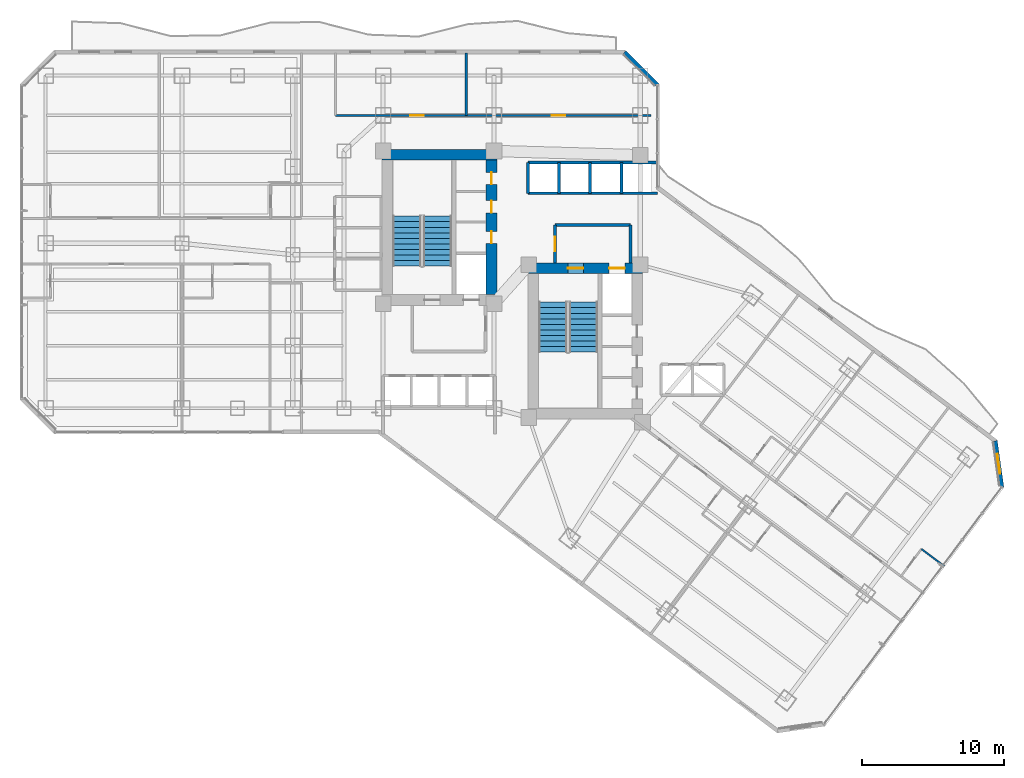
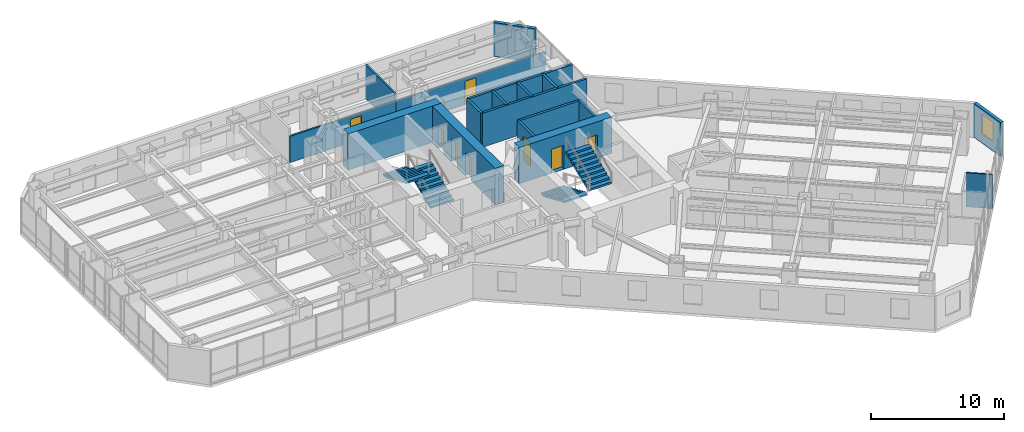
# One storey, part 27 of 37: 18 walls, 8 doors, 4 stair flights, 1 window, 9 openings, 2 elements without a shape of their own.
"""IFC4 building model written with IfcOpenShell, lengths in metres."""

import ifcopenshell
import ifcopenshell.guid

model = None  # the IFC model being written
_history = None  # IfcOwnerHistory: only IFC2X3 demands one
_inside = {}  # id of a spatial element -> (the spatial element, [elements in it])
_under = {}  # id of a project, library or spatial element -> (it, [spatial elements below it])
_declared = {}  # id of a project -> (the project, [libraries it declares])
_typed = {}  # id of a type object -> (the type object, [elements of that type])
_made_of = {}  # id of a material, layer set ... -> (it, [elements and type objects made of it])


def new_model(schema):
    """Start an empty IFC model of exactly this schema.

    Asked for "IFC4X3", IfcOpenShell would pick the latest addendum, in which some entities
    have other attributes; the version numbers below select the first issue.
    IFC2X3 requires an IfcOwnerHistory on every rooted entity: one is made here for all.
    """
    global model, _history
    if schema == "IFC4X3":
        model = ifcopenshell.file(schema_version=(4, 3, 0, 0))
    else:
        model = ifcopenshell.file(schema=schema)
    _inside.clear()
    _under.clear()
    _declared.clear()
    _typed.clear()
    _made_of.clear()
    _history = None
    if model.schema == "IFC2X3":
        org = make("IfcOrganization", Name="unknown")
        user = make(
            "IfcPersonAndOrganization",
            ThePerson=make("IfcPerson", FamilyName="unknown"),
            TheOrganization=org,
        )
        app = make(
            "IfcApplication",
            ApplicationDeveloper=org,
            Version="unknown",
            ApplicationFullName="unknown",
            ApplicationIdentifier="unknown",
        )
        _history = make(
            "IfcOwnerHistory",
            OwningUser=user,
            OwningApplication=app,
            ChangeAction="ADDED",
            CreationDate=0,
        )
    return model


def make(cls, **values):
    """One entity of the class cls with the attributes given. An attribute that is None is left unset."""
    return model.create_entity(
        cls, **{name: value for name, value in values.items() if value is not None}
    )


def rooted(cls, **values):
    """An entity with a GlobalId (a new one), such as an element, a storey or a relation."""
    return make(cls, GlobalId=ifcopenshell.guid.new(), OwnerHistory=_history, **values)


def si_unit(unit_type, name, prefix=None):
    """IfcSIUnit, for example si_unit("LENGTHUNIT", "METRE", prefix="MILLI")."""
    return make("IfcSIUnit", UnitType=unit_type, Prefix=prefix, Name=name)


def assignment(units):
    """IfcUnitAssignment: the units of a project."""
    return None if units is None else make("IfcUnitAssignment", Units=units)


def point(xyz):
    """IfcCartesianPoint."""
    return None if xyz is None else make("IfcCartesianPoint", Coordinates=xyz)


def direction(xyz):
    """IfcDirection."""
    return None if xyz is None else make("IfcDirection", DirectionRatios=xyz)


def frame(location, z_axis=None, x_axis=None):
    """IfcAxis2Placement3D, a coordinate frame: its origin and axes. An axis left out is left unset."""
    return make(
        "IfcAxis2Placement3D",
        Location=point(location),
        Axis=direction(z_axis),
        RefDirection=direction(x_axis),
    )


def frame_2d(location, x_axis=None):
    """IfcAxis2Placement2D, a coordinate frame in the plane: its origin and x axis."""
    return make(
        "IfcAxis2Placement2D", Location=point(location), RefDirection=direction(x_axis)
    )


def origin():
    """The frame at (0, 0, 0) with its axes left unset."""
    return frame((0.0, 0.0, 0.0))


def place(relative_to, where):
    """IfcLocalPlacement: puts the frame where relative to a parent placement (None: the world)."""
    return make(
        "IfcLocalPlacement", PlacementRelTo=relative_to, RelativePlacement=where
    )


def context(
    kind, dimensions, precision=None, world=None, true_north=None, identifier=None
):
    """IfcGeometricRepresentationContext, for example the 3D "Model" context."""
    return make(
        "IfcGeometricRepresentationContext",
        ContextIdentifier=identifier,
        ContextType=kind,
        CoordinateSpaceDimension=dimensions,
        Precision=precision,
        WorldCoordinateSystem=world,
        TrueNorth=true_north,
    )


def subcontext(parent, identifier, kind, view, scale=None):
    """IfcGeometricRepresentationSubContext, for example "Body" below "Model"."""
    return make(
        "IfcGeometricRepresentationSubContext",
        ContextIdentifier=identifier,
        ContextType=kind,
        ParentContext=parent,
        TargetScale=scale,
        TargetView=view,
    )


def project(units=None, contexts=None):
    """IfcProject with its units and contexts."""
    return rooted(
        "IfcProject",
        Name="project",
        RepresentationContexts=contexts,
        UnitsInContext=assignment(units),
    )


def spatial(cls, under=None, at=None, **own):
    """A site, building, storey or space (cls), placed at a placement, below another one or the project."""
    s = rooted(cls, ObjectPlacement=at, **own)
    if under is not None:
        _under.setdefault(under.id(), (under, []))[1].append(s)
    return s


def polyline(points):
    """IfcPolyline through the points."""
    return make("IfcPolyline", Points=[point(p) for p in points])


def profile(cls, at=None, kind="AREA", **sizes):
    """A parametric profile (cls). Its sizes go by their IFC names, for example OverallWidth=200.0."""
    return make(cls, ProfileType=kind, Position=at, **sizes)


def rectangle(**sizes):
    """IfcRectangleProfileDef."""
    return profile("IfcRectangleProfileDef", **sizes)


def outline(outer, holes=None, kind="AREA"):
    """IfcArbitraryClosedProfileDef: a profile drawn as a closed curve; with holes, ...WithVoids."""
    if holes is None:
        return make("IfcArbitraryClosedProfileDef", ProfileType=kind, OuterCurve=outer)
    return make(
        "IfcArbitraryProfileDefWithVoids",
        ProfileType=kind,
        OuterCurve=outer,
        InnerCurves=holes,
    )


def extrude(swept, where, along, depth):
    """IfcExtrudedAreaSolid: the profile swept, set in the frame where, extruded along a direction by depth."""
    return make(
        "IfcExtrudedAreaSolid",
        SweptArea=swept,
        Position=where,
        ExtrudedDirection=direction(along),
        Depth=depth,
    )


def shape(context_of_items, identifier, shape_type, items):
    """IfcShapeRepresentation: the items that make up one representation, for example the "Body"."""
    return make(
        "IfcShapeRepresentation",
        ContextOfItems=context_of_items,
        RepresentationIdentifier=identifier,
        RepresentationType=shape_type,
        Items=items,
    )


def material(Name=None, Category=None):
    """IfcMaterial."""
    return make("IfcMaterial", Name=Name, Category=Category)


def layer(
    of_material, thickness, ventilated=None, Name=None, Category=None, Priority=None
):
    """IfcMaterialLayer: one layer of a wall or slab, of a material (None: an air gap)."""
    return make(
        "IfcMaterialLayer",
        Material=of_material,
        LayerThickness=thickness,
        IsVentilated=ventilated,
        Name=Name,
        Category=Category,
        Priority=Priority,
    )


def layer_set(layers, Name=None):
    """IfcMaterialLayerSet."""
    return make("IfcMaterialLayerSet", MaterialLayers=layers, LayerSetName=Name)


def made_of(thing, what):
    """Note that an element or type object is made of a material, layer set ...; save() writes the relation."""
    if what is not None:
        _made_of.setdefault(what.id(), (what, []))[1].append(thing)
    return thing


def type_object(cls, material=None, **own):
    """A type object (cls), such as IfcWallType, which elements share."""
    return made_of(rooted(cls, **own), material)


def element(
    cls,
    number,
    at=None,
    inside=None,
    cuts=None,
    type_object=None,
    material=None,
    context=None,
    identifier="Body",
    shape_type=None,
    held_by="IfcProductDefinitionShape",
    body=None,
    shapes=None,
    **own,
):
    """One element of the class cls, such as IfcWall. Its Tag is "e" and its number.

    at: its placement. inside: the storey or other place that contains it. cuts: it is an
    opening in that element (IfcRelVoidsElement). A single representation is given by context,
    identifier, shape_type and body (its items); several are given by shapes. held_by: the class
    of the entity that holds the representations. save() writes the other relations.
    """
    e = rooted(cls, Tag="e%d" % number, ObjectPlacement=at, **own)
    if body is not None:
        shapes = [shape(context, identifier, shape_type, body)]
    if shapes is not None:
        e.Representation = make(held_by, Representations=shapes)
    if inside is not None:
        _inside.setdefault(inside.id(), (inside, []))[1].append(e)
    if cuts is not None:
        rooted(
            "IfcRelVoidsElement", RelatingBuildingElement=cuts, RelatedOpeningElement=e
        )
    if type_object is not None:
        _typed.setdefault(type_object.id(), (type_object, []))[1].append(e)
    return made_of(e, material)


def fill(opening, filler):
    """IfcRelFillsElement: the door or window that sits in an opening."""
    return rooted(
        "IfcRelFillsElement",
        RelatingOpeningElement=opening,
        RelatedBuildingElement=filler,
    )


def aggregate(whole, parts):
    """IfcRelAggregates: a whole, such as a stair, and the parts it consists of."""
    return rooted("IfcRelAggregates", RelatingObject=whole, RelatedObjects=parts)


def save(model, path):
    """Write the relations noted so far, then the file.

    IfcRelAggregates (storeys below a building ...), IfcRelContainedInSpatialStructure (elements
    in a storey), IfcRelDefinesByType, IfcRelAssociatesMaterial and IfcRelDeclares: one each for
    every whole, place, type object, material and project.
    """
    for whole, parts in _under.values():
        aggregate(whole, parts)
    for where, things in _inside.values():
        rooted(
            "IfcRelContainedInSpatialStructure",
            RelatedElements=things,
            RelatingStructure=where,
        )
    for kind, things in _typed.values():
        rooted("IfcRelDefinesByType", RelatedObjects=things, RelatingType=kind)
    for what, things in _made_of.values():
        rooted("IfcRelAssociatesMaterial", RelatedObjects=things, RelatingMaterial=what)
    for by, libraries in _declared.values():
        rooted("IfcRelDeclares", RelatingContext=by, RelatedDefinitions=libraries)
    model.write(path)


model = new_model("IFC4")

# Units and contexts
model_context = context("Model", 3, precision=1e-05, world=origin(), true_north=direction((0.0, 1.0)))
body_context = subcontext(model_context, "Body", "Model", "MODEL_VIEW")
ifc_project = project(units=[si_unit("LENGTHUNIT", "METRE"), si_unit("AREAUNIT", "SQUARE_METRE"), si_unit("VOLUMEUNIT", "CUBIC_METRE"), si_unit("PLANEANGLEUNIT", "RADIAN"), si_unit("MASSUNIT", "GRAM", prefix="KILO")], contexts=[model_context])

# Site, building, storey
site_placement = place(None, origin())
site = spatial("IfcSite", under=ifc_project, at=site_placement, CompositionType="ELEMENT")
building_placement = place(site_placement, origin())
building = spatial("IfcBuilding", under=site, at=building_placement, Name="Hatsunagi Terrace Concourse", CompositionType="ELEMENT")
storey_placement = place(building_placement, frame((0.0, 0.0, 39.949951171875)))
storey = spatial("IfcBuildingStorey", under=building, at=storey_placement, Name="L09", CompositionType="ELEMENT", Elevation=39.949951171875)

# Wall
ifc_material_1 = material(Name="Concrete Fc60", Category="concrete")
ifc_layer_1 = layer(ifc_material_1, 0.75)
ifc_layer_set_1 = layer_set([ifc_layer_1], Name="CoreShearWall_Fc60_750")
wall_type_1 = type_object("IfcWallType", Name="CoreShearWall_Fc60_750", PredefinedType="SHEAR", material=ifc_layer_set_1)
wall_1_placement = place(storey_placement, frame((25.469970703125, 43.044921875, 0.0), z_axis=(0.0, 0.0, 1.0), x_axis=(1.0, 0.0, 0.0)))
element("IfcWall", 1, at=wall_1_placement, inside=storey, type_object=wall_type_1, Name="Core A Shear Wall N L09", PredefinedType="SHEAR", context=body_context, shape_type="SweptSolid", body=[
    extrude(rectangle(XDim=8.080078125, YDim=0.75, at=frame_2d((4.0400390625, 0.0))), origin(), (0.0, 0.0, 1.0), 3.35009765625),
])

# Wall, openings, doors
wall_2_placement = place(storey_placement, frame((33.175048828125, 33.18994140625, 0.0), z_axis=(0.0, 0.0, 1.0), x_axis=(0.0, 1.0, 0.0)))
wall_2 = element("IfcWall", 2, at=wall_2_placement, inside=storey, type_object=wall_type_1, Name="Core A Shear Wall E L09", PredefinedType="SHEAR", context=body_context, shape_type="SweptSolid", body=[
    extrude(rectangle(XDim=9.47998046875, YDim=0.75, at=frame_2d((4.739990234375, 0.0))), origin(), (0.0, 0.0, 1.0), 3.35009765625),
])
opening_1_placement = place(wall_2_placement, frame((3.610107421875, 0.0, 0.0)))
opening_1 = element("IfcOpeningElement", 3, at=opening_1_placement, cuts=wall_2, Name="Opening DR-085", PredefinedType="OPENING", context=body_context, shape_type="SweptSolid", body=[
    extrude(rectangle(XDim=0.85009765625, YDim=2.080078125, at=frame_2d((0.425048828125, 1.0400390625))), frame((0.0, 0.385009765625, 0.0), z_axis=(0.0, -1.0, 0.0), x_axis=(1.0, 0.0, 0.0)), (0.0, 0.0, 1.0), 0.77001953125),
])
opening_2_placement = place(wall_2_placement, frame((5.760009765625, 0.0, 0.0)))
opening_2 = element("IfcOpeningElement", 4, at=opening_2_placement, cuts=wall_2, Name="Opening DR-085", PredefinedType="OPENING", context=body_context, shape_type="SweptSolid", body=[
    extrude(rectangle(XDim=0.85009765625, YDim=2.080078125, at=frame_2d((0.425048828125, 1.0400390625))), frame((0.0, 0.385009765625, 0.0), z_axis=(0.0, -1.0, 0.0), x_axis=(1.0, 0.0, 0.0)), (0.0, 0.0, 1.0), 0.77001953125),
])
opening_3_placement = place(wall_2_placement, frame((7.760009765625, 0.0, 0.0)))
opening_3 = element("IfcOpeningElement", 5, at=opening_3_placement, cuts=wall_2, Name="Opening DR-085", PredefinedType="OPENING", context=body_context, shape_type="SweptSolid", body=[
    extrude(rectangle(XDim=0.85009765625, YDim=2.080078125, at=frame_2d((0.425048828125, 1.0400390625))), frame((0.0, 0.385009765625, 0.0), z_axis=(0.0, -1.0, 0.0), x_axis=(1.0, 0.0, 0.0)), (0.0, 0.0, 1.0), 0.77001953125),
])
ifc_material_2 = material(Name="Painted steel", Category="steel")
door_type_1 = type_object("IfcDoorType", Name="RiserAccessDoor_EI60_850", OperationType="NOTDEFINED", PredefinedType="DOOR", material=ifc_material_2)
door_1_placement = place(opening_1_placement, origin())
door_1 = element("IfcDoor", 6, at=door_1_placement, inside=storey, type_object=door_type_1, Name="Core A Riser Door L09-1", OperationType="SINGLE_SWING_LEFT", OverallHeight=2.080078125, OverallWidth=0.85009765625, PredefinedType="DOOR", context=body_context, shape_type="SweptSolid", body=[
    extrude(rectangle(XDim=0.85009765625, YDim=2.080078125, at=frame_2d((0.425048828125, 1.0400390625))), frame((0.0, 0.02490234375, 0.0), z_axis=(0.0, -1.0, 0.0), x_axis=(1.0, 0.0, 0.0)), (0.0, 0.0, 1.0), 0.050048828125),
])
fill(opening_1, door_1)
door_2_placement = place(opening_2_placement, origin())
door_2 = element("IfcDoor", 7, at=door_2_placement, inside=storey, type_object=door_type_1, Name="Core A Riser Door L09-2", OperationType="SINGLE_SWING_LEFT", OverallHeight=2.080078125, OverallWidth=0.85009765625, PredefinedType="DOOR", context=body_context, shape_type="SweptSolid", body=[
    extrude(rectangle(XDim=0.85009765625, YDim=2.080078125, at=frame_2d((0.425048828125, 1.0400390625))), frame((0.0, 0.02490234375, 0.0), z_axis=(0.0, -1.0, 0.0), x_axis=(1.0, 0.0, 0.0)), (0.0, 0.0, 1.0), 0.050048828125),
])
fill(opening_2, door_2)
door_3_placement = place(opening_3_placement, origin())
door_3 = element("IfcDoor", 8, at=door_3_placement, inside=storey, type_object=door_type_1, Name="Core A Riser Door L09-3", OperationType="SINGLE_SWING_LEFT", OverallHeight=2.080078125, OverallWidth=0.85009765625, PredefinedType="DOOR", context=body_context, shape_type="SweptSolid", body=[
    extrude(rectangle(XDim=0.85009765625, YDim=2.080078125, at=frame_2d((0.425048828125, 1.0400390625))), frame((0.0, 0.02490234375, 0.0), z_axis=(0.0, -1.0, 0.0), x_axis=(1.0, 0.0, 0.0)), (0.0, 0.0, 1.0), 0.050048828125),
])
fill(opening_3, door_3)

wall_3_placement = place(storey_placement, frame((35.739990234375, 35.044921875, 0.0), z_axis=(0.0, 0.0, 1.0), x_axis=(1.0, 0.0, 0.0)))
wall_3 = element("IfcWall", 9, at=wall_3_placement, inside=storey, type_object=wall_type_1, Name="Core B Shear Wall N L09", PredefinedType="SHEAR", context=body_context, shape_type="SweptSolid", body=[
    extrude(rectangle(XDim=8.06005859375, YDim=0.75, at=frame_2d((4.030029296875, 0.0))), origin(), (0.0, 0.0, 1.0), 3.35009765625),
])
opening_4_placement = place(wall_3_placement, frame((2.81005859375, 0.0, 0.0)))
opening_4 = element("IfcOpeningElement", 10, at=opening_4_placement, cuts=wall_3, Name="Opening DR-110S", PredefinedType="OPENING", context=body_context, shape_type="SweptSolid", body=[
    extrude(rectangle(XDim=1.10009765625, YDim=2.199951171875, at=frame_2d((0.550048828125, 1.10009765625))), frame((0.0, 0.385009765625, 0.0), z_axis=(0.0, -1.0, 0.0), x_axis=(1.0, 0.0, 0.0)), (0.0, 0.0, 1.0), 0.77001953125),
])
opening_5_placement = place(wall_3_placement, frame((5.7099609375, 0.0, 0.0)))
opening_5 = element("IfcOpeningElement", 11, at=opening_5_placement, cuts=wall_3, Name="Opening LD-02", PredefinedType="OPENING", context=body_context, shape_type="SweptSolid", body=[
    extrude(rectangle(XDim=1.1201171875, YDim=2.14990234375, at=frame_2d((0.56005859375, 1.074951171875))), frame((0.0, 0.385009765625, 0.0), z_axis=(0.0, -1.0, 0.0), x_axis=(1.0, 0.0, 0.0)), (0.0, 0.0, 1.0), 0.77001953125),
])
ifc_material_3 = material(Name="Stainless steel", Category="steel")
door_type_2 = type_object("IfcDoorType", Name="LiftLandingDoor_LD02", OperationType="SLIDING_TO_RIGHT", PredefinedType="USERDEFINED", material=ifc_material_3)
door_4_placement = place(opening_5_placement, origin())
door_4 = element("IfcDoor", 12, at=door_4_placement, inside=storey, type_object=door_type_2, Name="Lift landing door FF-02 L09", ObjectType="SLIDING_LANDING_DOOR", OperationType="SLIDING_TO_RIGHT", OverallHeight=2.14990234375, OverallWidth=1.1201171875, PredefinedType="USERDEFINED", context=body_context, shape_type="SweptSolid", body=[
    extrude(rectangle(XDim=1.1201171875, YDim=2.14990234375, at=frame_2d((0.56005859375, 1.074951171875))), frame((0.0, 0.02490234375, 0.0), z_axis=(0.0, -1.0, 0.0), x_axis=(1.0, 0.0, 0.0)), (0.0, 0.0, 1.0), 0.050048828125),
])
fill(opening_5, door_4)
ifc_material_4 = material(Name="Painted steel", Category="steel")
door_type_3 = type_object("IfcDoorType", Name="StairFireDoor_EI60_1100", OperationType="NOTDEFINED", PredefinedType="DOOR", material=ifc_material_4)
door_5_placement = place(opening_4_placement, origin())
door_5 = element("IfcDoor", 13, at=door_5_placement, inside=storey, type_object=door_type_3, Name="Stair ST-B Exit Door L09", OperationType="SINGLE_SWING_RIGHT", OverallHeight=2.199951171875, OverallWidth=1.10009765625, PredefinedType="DOOR", context=body_context, shape_type="SweptSolid", body=[
    extrude(rectangle(XDim=1.10009765625, YDim=2.199951171875, at=frame_2d((0.550048828125, 1.10009765625))), frame((0.0, 0.02490234375, 0.0), z_axis=(0.0, -1.0, 0.0), x_axis=(1.0, 0.0, 0.0)), (0.0, 0.0, 1.0), 0.050048828125),
])
fill(opening_4, door_5)

# Wall
ifc_material_5 = material(Name="Acoustic mineral board", Category="gypsum")
ifc_layer_2 = layer(ifc_material_5, 0.1201171875)
ifc_layer_set_2 = layer_set([ifc_layer_2], Name="PartitionWall_EI30_120")
wall_type_2 = type_object("IfcWallType", Name="PartitionWall_EI30_120", PredefinedType="PARTITIONING", material=ifc_layer_set_2)
wall_4_placement = place(storey_placement, frame((63.429931640625, 15.2900390625, 0.0), z_axis=(0.0, 0.0, 1.0), x_axis=(0.800014574191, -0.599980567254, 0.0)))
element("IfcWall", 14, at=wall_4_placement, inside=storey, type_object=wall_type_2, Name="Interior Partition IW-L09-082", PredefinedType="PARTITIONING", context=body_context, shape_type="SweptSolid", body=[
    extrude(rectangle(XDim=2.01025390625, YDim=0.1201171875, at=frame_2d((1.005126953125, 0.0))), origin(), (0.0, 0.0, 1.0), 3.130126953125),
])

# Wall, opening, door
ifc_material_6 = material(Name="Acoustic mineral board", Category="gypsum")
ifc_layer_3 = layer(ifc_material_6, 0.14990234375)
ifc_layer_set_3 = layer_set([ifc_layer_3], Name="PartitionWall_EI60_150")
wall_type_3 = type_object("IfcWallType", Name="PartitionWall_EI60_150", PredefinedType="PARTITIONING", material=ifc_layer_set_3)
wall_5_placement = place(storey_placement, frame((22.199951171875, 45.800048828125, 0.0), z_axis=(0.0, 0.0, 1.0), x_axis=(1.0, 0.0, 0.0)))
wall_5 = element("IfcWall", 15, at=wall_5_placement, inside=storey, type_object=wall_type_3, Name="Interior Partition IW-L09-039", PredefinedType="PARTITIONING", context=body_context, shape_type="SweptSolid", body=[
    extrude(rectangle(XDim=9.199951171875, YDim=0.14990234375, at=frame_2d((4.60009765625, 0.0))), origin(), (0.0, 0.0, 1.0), 2.425048828125),
])
opening_6_placement = place(wall_5_placement, frame((5.248046875, 0.0, 0.0)))
opening_6 = element("IfcOpeningElement", 16, at=opening_6_placement, cuts=wall_5, Name="Opening DR-095", PredefinedType="OPENING", context=body_context, shape_type="SweptSolid", body=[
    extrude(rectangle(XDim=0.949951171875, YDim=2.14990234375, at=frame_2d((0.47509765625, 1.074951171875))), frame((0.0, 0.0849609375, 0.0), z_axis=(0.0, -1.0, 0.0), x_axis=(1.0, 0.0, 0.0)), (0.0, 0.0, 1.0), 0.169921875),
])
ifc_material_7 = material(Name="Hardwood timber", Category="wood")
door_type_4 = type_object("IfcDoorType", Name="InteriorSuiteDoor_EI30_950", OperationType="NOTDEFINED", PredefinedType="DOOR", material=ifc_material_7)
door_6_placement = place(opening_6_placement, origin())
door_6 = element("IfcDoor", 17, at=door_6_placement, inside=storey, type_object=door_type_4, Name="Housekeeping Linen Room L09-HLIN Door", OperationType="SINGLE_SWING_LEFT", OverallHeight=2.14990234375, OverallWidth=0.949951171875, PredefinedType="DOOR", context=body_context, shape_type="SweptSolid", body=[
    extrude(rectangle(XDim=0.949951171875, YDim=2.14990234375, at=frame_2d((0.47509765625, 1.074951171875))), frame((0.0, 0.02490234375, 0.0), z_axis=(0.0, -1.0, 0.0), x_axis=(1.0, 0.0, 0.0)), (0.0, 0.0, 1.0), 0.050048828125),
])
fill(opening_6, door_6)

# Wall
wall_6_placement = place(storey_placement, frame((31.39990234375, 45.800048828125, 0.0), z_axis=(0.0, 0.0, 1.0), x_axis=(0.0, 1.0, 0.0)))
element("IfcWall", 18, at=wall_6_placement, inside=storey, type_object=wall_type_3, Name="Interior Partition IW-L09-041", PredefinedType="PARTITIONING", context=body_context, shape_type="SweptSolid", body=[
    extrude(rectangle(XDim=4.39990234375, YDim=0.14990234375, at=frame_2d((2.199951171875, 0.0))), origin(), (0.0, 0.0, 1.0), 3.130126953125),
])

# Wall, opening, door
wall_7_placement = place(storey_placement, frame((31.39990234375, 45.800048828125, 0.0), z_axis=(0.0, 0.0, 1.0), x_axis=(1.0, 0.0, 0.0)))
wall_7 = element("IfcWall", 19, at=wall_7_placement, inside=storey, type_object=wall_type_3, Name="Interior Partition IW-L09-042", PredefinedType="PARTITIONING", context=body_context, shape_type="SweptSolid", body=[
    extrude(rectangle(XDim=13.0, YDim=0.14990234375, at=frame_2d((6.5, 0.0))), origin(), (0.0, 0.0, 1.0), 2.425048828125),
])
opening_7_placement = place(wall_7_placement, frame((6.02490234375, 0.0, 0.0)))
opening_7 = element("IfcOpeningElement", 20, at=opening_7_placement, cuts=wall_7, Name="Opening DR-095", PredefinedType="OPENING", context=body_context, shape_type="SweptSolid", body=[
    extrude(rectangle(XDim=0.949951171875, YDim=2.14990234375, at=frame_2d((0.47509765625, 1.074951171875))), frame((0.0, 0.0849609375, 0.0), z_axis=(0.0, -1.0, 0.0), x_axis=(1.0, 0.0, 0.0)), (0.0, 0.0, 1.0), 0.169921875),
])
door_7_placement = place(opening_7_placement, origin())
door_7 = element("IfcDoor", 21, at=door_7_placement, inside=storey, type_object=door_type_4, Name="VIP Lounge L09-HLNG Door", OperationType="SINGLE_SWING_LEFT", OverallHeight=2.14990234375, OverallWidth=0.949951171875, PredefinedType="DOOR", context=body_context, shape_type="SweptSolid", body=[
    extrude(rectangle(XDim=0.949951171875, YDim=2.14990234375, at=frame_2d((0.47509765625, 1.074951171875))), frame((0.0, 0.02490234375, 0.0), z_axis=(0.0, -1.0, 0.0), x_axis=(1.0, 0.0, 0.0)), (0.0, 0.0, 1.0), 0.050048828125),
])
fill(opening_7, door_7)

# Walls
ifc_material_8 = material(Name="Acoustic mineral board", Category="gypsum")
ifc_layer_4 = layer(ifc_material_8, 0.199951171875)
ifc_layer_set_4 = layer_set([ifc_layer_4], Name="ShaftWall_EI120_200")
wall_type_4 = type_object("IfcWallType", Name="ShaftWall_EI120_200", PredefinedType="STANDARD", material=ifc_layer_set_4)
wall_8_placement = place(storey_placement, frame((37.64990234375, 38.10009765625, 0.0), z_axis=(0.0, 0.0, 1.0), x_axis=(1.0, 0.0, 0.0)))
element("IfcWall", 22, at=wall_8_placement, inside=storey, type_object=wall_type_4, Name="Interior Partition IW-L09-010", PredefinedType="STANDARD", context=body_context, shape_type="SweptSolid", body=[
    extrude(rectangle(XDim=5.300048828125, YDim=0.199951171875, at=frame_2d((2.64990234375, 0.0))), origin(), (0.0, 0.0, 1.0), 3.130126953125),
])
wall_9_placement = place(storey_placement, frame((42.949951171875, 35.419921875, 0.0), z_axis=(0.0, 0.0, 1.0), x_axis=(0.0, 1.0, 0.0)))
element("IfcWall", 23, at=wall_9_placement, inside=storey, type_object=wall_type_4, Name="Interior Partition IW-L09-011", PredefinedType="STANDARD", context=body_context, shape_type="SweptSolid", body=[
    extrude(rectangle(XDim=2.68017578125, YDim=0.199951171875, at=frame_2d((1.340087890625, 0.0))), origin(), (0.0, 0.0, 1.0), 3.130126953125),
])

# Wall, opening, door
wall_10_placement = place(storey_placement, frame((37.64990234375, 35.419921875, 0.0), z_axis=(0.0, 0.0, 1.0), x_axis=(0.0, 1.0, 0.0)))
wall_10 = element("IfcWall", 24, at=wall_10_placement, inside=storey, type_object=wall_type_4, Name="Interior Partition IW-L09-012", PredefinedType="STANDARD", context=body_context, shape_type="SweptSolid", body=[
    extrude(rectangle(XDim=2.68017578125, YDim=0.199951171875, at=frame_2d((1.340087890625, 0.0))), origin(), (0.0, 0.0, 1.0), 3.130126953125),
])
opening_8_placement = place(wall_10_placement, frame((0.840087890625, 0.0, 0.0)))
opening_8 = element("IfcOpeningElement", 25, at=opening_8_placement, cuts=wall_10, Name="Opening DR-100F", PredefinedType="OPENING", context=body_context, shape_type="SweptSolid", body=[
    extrude(rectangle(XDim=1.0, YDim=2.199951171875, at=frame_2d((0.5, 1.10009765625))), frame((0.0, 0.10986328125, 0.0), z_axis=(0.0, -1.0, 0.0), x_axis=(1.0, 0.0, 0.0)), (0.0, 0.0, 1.0), 0.219970703125),
])
ifc_material_9 = material(Name="Painted steel", Category="steel")
door_type_5 = type_object("IfcDoorType", Name="FireDoor_EI60_1000", OperationType="NOTDEFINED", PredefinedType="DOOR", material=ifc_material_9)
door_8_placement = place(opening_8_placement, origin())
door_8 = element("IfcDoor", 26, at=door_8_placement, inside=storey, type_object=door_type_5, Name="Firefighting Lobby B Door L09", OperationType="SINGLE_SWING_RIGHT", OverallHeight=2.199951171875, OverallWidth=1.0, PredefinedType="DOOR", context=body_context, shape_type="SweptSolid", body=[
    extrude(rectangle(XDim=1.0, YDim=2.199951171875, at=frame_2d((0.5, 1.10009765625))), frame((0.0, 0.02490234375, 0.0), z_axis=(0.0, -1.0, 0.0), x_axis=(1.0, 0.0, 0.0)), (0.0, 0.0, 1.0), 0.050048828125),
])
fill(opening_8, door_8)

# Walls
wall_11_placement = place(storey_placement, frame((35.75, 42.47998046875, 0.0), z_axis=(0.0, 0.0, 1.0), x_axis=(1.0, 0.0, 0.0)))
element("IfcWall", 27, at=wall_11_placement, inside=storey, type_object=wall_type_4, Name="Interior Partition IW-L09-020", PredefinedType="STANDARD", context=body_context, shape_type="SweptSolid", body=[
    extrude(rectangle(XDim=9.110107421875, YDim=0.199951171875, at=frame_2d((4.55517578125, 0.0))), origin(), (0.0, 0.0, 1.0), 3.130126953125),
])
for number, where, z_axis, x_axis, name in (
    (28, (35.75, 40.320068359375, 0.0), (0.0, 0.0, 1.0), (0.0, 1.0, 0.0), "Interior Partition IW-L09-021"),
    (29, (37.919921875, 40.320068359375, 0.0), (0.0, 0.0, 1.0), (0.0, 1.0, 0.0), "Interior Partition IW-L09-022"),
    (30, (40.1201171875, 40.320068359375, 0.0), (0.0, 0.0, 1.0), (0.0, 1.0, 0.0), "Interior Partition IW-L09-023"),
    (31, (42.320068359375, 40.320068359375, 0.0), (0.0, 0.0, 1.0), (0.0, 1.0, 0.0), "Interior Partition IW-L09-024"),
):
    element("IfcWall", number, at=place(storey_placement, frame(where, z_axis=z_axis, x_axis=x_axis)), inside=storey, type_object=wall_type_4, Name=name, PredefinedType="STANDARD", context=body_context, shape_type="SweptSolid", body=[
        extrude(rectangle(XDim=2.159912109375, YDim=0.199951171875, at=frame_2d((1.080078125, 0.0))), origin(), (0.0, 0.0, 1.0), 3.130126953125),
    ])
wall_12_placement = place(storey_placement, frame((35.75, 40.320068359375, 0.0), z_axis=(0.0, 0.0, 1.0), x_axis=(1.0, 0.0, 0.0)))
element("IfcWall", 32, at=wall_12_placement, inside=storey, type_object=wall_type_4, Name="Interior Partition IW-L09-025", PredefinedType="STANDARD", context=body_context, shape_type="SweptSolid", body=[
    extrude(rectangle(XDim=9.110107421875, YDim=0.199951171875, at=frame_2d((4.55517578125, 0.0))), origin(), (0.0, 0.0, 1.0), 3.130126953125),
])

# Wall, opening, window
ifc_material_10 = material(Name="Autoclaved Lightweight Concrete and Terracotta Cladding", Category="masonry")
ifc_layer_5 = layer(ifc_material_10, 0.280029296875)
ifc_layer_set_5 = layer_set([ifc_layer_5], Name="TerracottaSpandrelWall_280")
wall_type_5 = type_object("IfcWallType", Name="TerracottaSpandrelWall_280", PredefinedType="STANDARD", material=ifc_layer_set_5)
wall_13_placement = place(storey_placement, frame((68.6298828125, 22.903076171875, 0.0), z_axis=(0.0, 0.0, 1.0), x_axis=(0.141285803956, -0.989968848803, 0.0)))
wall_13 = element("IfcWall", 33, at=wall_13_placement, inside=storey, type_object=wall_type_5, Name="Exterior Spandrel Wall EW-L09-02", PredefinedType="STANDARD", context=body_context, shape_type="SweptSolid", body=[
    extrude(rectangle(XDim=3.278076171875, YDim=0.280029296875, at=frame_2d((1.63916015625, 0.0))), origin(), (0.0, 0.0, 1.0), 3.130126953125),
])
opening_9_placement = place(wall_13_placement, frame((0.93896484375, 0.0, 0.85009765625)))
opening_9 = element("IfcOpeningElement", 34, at=opening_9_placement, cuts=wall_13, Name="Opening WIN-02", PredefinedType="OPENING", context=body_context, shape_type="SweptSolid", body=[
    extrude(rectangle(XDim=1.39990234375, YDim=1.800048828125, at=frame_2d((0.699951171875, 0.89990234375))), frame((0.0, 0.14990234375, 0.0), z_axis=(0.0, -1.0, 0.0), x_axis=(1.0, 0.0, 0.0)), (0.0, 0.0, 1.0), 0.300048828125),
])
ifc_material_11 = material(Name="Thermally Broken Aluminium and Low-E Triple Glazing", Category="aluminium")
window_type = type_object("IfcWindowType", Name="HotelOperableVentWindow_1400x1800", PartitioningType="DOUBLE_PANEL_VERTICAL", PredefinedType="WINDOW", material=ifc_material_11)
window_placement = place(opening_9_placement, origin())
window = element("IfcWindow", 35, at=window_placement, inside=storey, type_object=window_type, Name="Hotel Guestroom Window L09-02-1", OverallHeight=1.800048828125, OverallWidth=1.39990234375, PartitioningType="SINGLE_PANEL", PredefinedType="WINDOW", context=body_context, shape_type="SweptSolid", body=[
    extrude(rectangle(XDim=1.39990234375, YDim=1.800048828125, at=frame_2d((0.699951171875, 0.89990234375))), frame((0.0, 0.030029296875, 0.0), z_axis=(0.0, -1.0, 0.0), x_axis=(1.0, 0.0, 0.0)), (0.0, 0.0, 1.0), 0.06005859375),
])
fill(opening_9, window)

# Wall
wall_14_placement = place(storey_placement, frame((42.5419921875, 50.260009765625, 0.0), z_axis=(0.0, 0.0, 1.0), x_axis=(0.707106781187, -0.707106781187, 0.0)))
element("IfcWall", 36, at=wall_14_placement, inside=storey, type_object=wall_type_5, Name="Exterior Spandrel Wall EW-L09-12", PredefinedType="STANDARD", context=body_context, shape_type="SweptSolid", body=[
    extrude(rectangle(XDim=3.2783203125, YDim=0.280029296875, at=frame_2d((1.63916015625, 0.0))), origin(), (0.0, 0.0, 1.0), 3.130126953125),
])

# Stair, stair flights
ifc_material_12 = material(Name="Concrete Fc42", Category="concrete")
stair_type = type_object("IfcStairType", Name="DoglegExitStair_Tower2000_20R_167", PredefinedType="HALF_TURN_STAIR", material=ifc_material_12)
stair_1_placement = place(storey_placement, origin())
stair_1 = element("IfcStair", 37, at=stair_1_placement, inside=storey, type_object=stair_type, Name="L09 Core A Protected Exit Stair ST-A", PredefinedType="HALF_TURN_STAIR")
ifc_material_13 = material(Name="Concrete Fc42", Category="concrete")
stair_flight_type = type_object("IfcStairFlightType", Name="DoglegStairFlight_Tower2000_20R_167", PredefinedType="STRAIGHT", material=ifc_material_13)
stair_flight_1_placement = place(storey_placement, frame((29.3798828125, 35.199951171875, 0.0), z_axis=(0.0, 0.0, 1.0), x_axis=(0.0, 1.0, 0.0)))
stair_flight_1 = element("IfcStairFlight", 38, at=stair_flight_1_placement, type_object=stair_flight_type, Name="ST-A flight 1", NumberOfRisers=10, NumberOfTreads=9, PredefinedType="STRAIGHT", RiserHeight=0.1675, TreadLength=0.39, context=body_context, shape_type="SweptSolid", body=[
    extrude(outline(polyline([(0.0, 0.0), (0.0, 0.16748046875), (0.389892578125, 0.16748046875), (0.389892578125, 0.3349609375), (0.780029296875, 0.3349609375), (0.780029296875, 0.50244140625), (1.169921875, 0.50244140625), (1.169921875, 0.669921875), (1.56005859375, 0.669921875), (1.56005859375, 0.83740234375), (1.949951171875, 0.83740234375), (1.949951171875, 1.0048828125), (2.340087890625, 1.0048828125), (2.340087890625, 1.172607421875), (2.72998046875, 1.172607421875), (2.72998046875, 1.340087890625), (3.1201171875, 1.340087890625), (3.1201171875, 1.507568359375), (3.510009765625, 1.507568359375), (3.510009765625, 1.675048828125), (3.510009765625, 1.34423828125), (0.3798828125, 0.0), (0.0, 0.0)])), frame((0.0, 1.0, 0.0), z_axis=(0.0, -1.0, 0.0), x_axis=(1.0, 0.0, 0.0)), (0.0, 0.0, 1.0), 2.0),
])
stair_flight_2_placement = place(storey_placement, frame((27.22998046875, 38.7099609375, 1.675048828125), z_axis=(0.0, 0.0, 1.0), x_axis=(0.0, -1.0, 0.0)))
stair_flight_2 = element("IfcStairFlight", 39, at=stair_flight_2_placement, type_object=stair_flight_type, Name="ST-A flight 2", NumberOfRisers=10, NumberOfTreads=9, PredefinedType="STRAIGHT", RiserHeight=0.1675, TreadLength=0.39, context=body_context, shape_type="SweptSolid", body=[
    extrude(outline(polyline([(0.0, 0.0), (0.0, 0.16748046875), (0.389892578125, 0.16748046875), (0.389892578125, 0.3349609375), (0.780029296875, 0.3349609375), (0.780029296875, 0.50244140625), (1.169921875, 0.50244140625), (1.169921875, 0.669921875), (1.56005859375, 0.669921875), (1.56005859375, 0.83740234375), (1.949951171875, 0.83740234375), (1.949951171875, 1.0048828125), (2.340087890625, 1.0048828125), (2.340087890625, 1.172607421875), (2.72998046875, 1.172607421875), (2.72998046875, 1.340087890625), (3.1201171875, 1.340087890625), (3.1201171875, 1.507568359375), (3.510009765625, 1.507568359375), (3.510009765625, 1.675048828125), (3.510009765625, 1.34423828125), (0.3798828125, 0.0), (0.0, 0.0)])), frame((0.0, 1.0, 0.0), z_axis=(0.0, -1.0, 0.0), x_axis=(1.0, 0.0, 0.0)), (0.0, 0.0, 1.0), 2.0),
])
aggregate(stair_1, [stair_flight_1, stair_flight_2])

stair_2_placement = place(storey_placement, origin())
stair_2 = element("IfcStair", 40, at=stair_2_placement, inside=storey, type_object=stair_type, Name="L09 Core B Protected Exit Stair ST-B", PredefinedType="HALF_TURN_STAIR")
stair_flight_3_placement = place(storey_placement, frame((37.5, 32.659912109375, 0.0), z_axis=(0.0, 0.0, 1.0), x_axis=(0.0, -1.0, 0.0)))
stair_flight_3 = element("IfcStairFlight", 41, at=stair_flight_3_placement, type_object=stair_flight_type, Name="ST-B flight 1", NumberOfRisers=10, NumberOfTreads=9, PredefinedType="STRAIGHT", RiserHeight=0.1675, TreadLength=0.39, context=body_context, shape_type="SweptSolid", body=[
    extrude(outline(polyline([(0.0, 0.0), (0.0, 0.16748046875), (0.389892578125, 0.16748046875), (0.389892578125, 0.3349609375), (0.780029296875, 0.3349609375), (0.780029296875, 0.50244140625), (1.169921875, 0.50244140625), (1.169921875, 0.669921875), (1.56005859375, 0.669921875), (1.56005859375, 0.83740234375), (1.949951171875, 0.83740234375), (1.949951171875, 1.0048828125), (2.340087890625, 1.0048828125), (2.340087890625, 1.172607421875), (2.72998046875, 1.172607421875), (2.72998046875, 1.340087890625), (3.1201171875, 1.340087890625), (3.1201171875, 1.507568359375), (3.510009765625, 1.507568359375), (3.510009765625, 1.675048828125), (3.510009765625, 1.34423828125), (0.3798828125, 0.0), (0.0, 0.0)])), frame((0.0, 1.0, 0.0), z_axis=(0.0, -1.0, 0.0), x_axis=(1.0, 0.0, 0.0)), (0.0, 0.0, 1.0), 2.0),
])
stair_flight_4_placement = place(storey_placement, frame((39.64990234375, 29.14990234375, 1.675048828125), z_axis=(0.0, 0.0, 1.0), x_axis=(0.0, 1.0, 0.0)))
stair_flight_4 = element("IfcStairFlight", 42, at=stair_flight_4_placement, type_object=stair_flight_type, Name="ST-B flight 2", NumberOfRisers=10, NumberOfTreads=9, PredefinedType="STRAIGHT", RiserHeight=0.1675, TreadLength=0.39, context=body_context, shape_type="SweptSolid", body=[
    extrude(outline(polyline([(0.0, 0.0), (0.0, 0.16748046875), (0.389892578125, 0.16748046875), (0.389892578125, 0.3349609375), (0.780029296875, 0.3349609375), (0.780029296875, 0.50244140625), (1.169921875, 0.50244140625), (1.169921875, 0.669921875), (1.56005859375, 0.669921875), (1.56005859375, 0.83740234375), (1.949951171875, 0.83740234375), (1.949951171875, 1.0048828125), (2.340087890625, 1.0048828125), (2.340087890625, 1.172607421875), (2.72998046875, 1.172607421875), (2.72998046875, 1.340087890625), (3.1201171875, 1.340087890625), (3.1201171875, 1.507568359375), (3.510009765625, 1.507568359375), (3.510009765625, 1.675048828125), (3.510009765625, 1.34423828125), (0.3798828125, 0.0), (0.0, 0.0)])), frame((0.0, 1.0, 0.0), z_axis=(0.0, -1.0, 0.0), x_axis=(1.0, 0.0, 0.0)), (0.0, 0.0, 1.0), 2.0),
])
aggregate(stair_2, [stair_flight_3, stair_flight_4])

save(model, "model.ifc")
